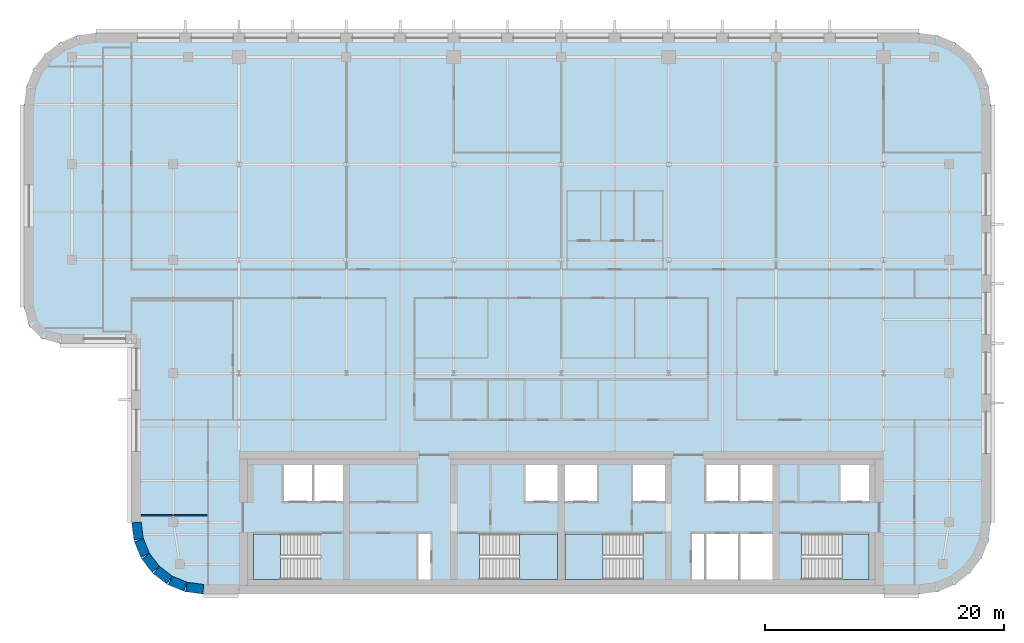
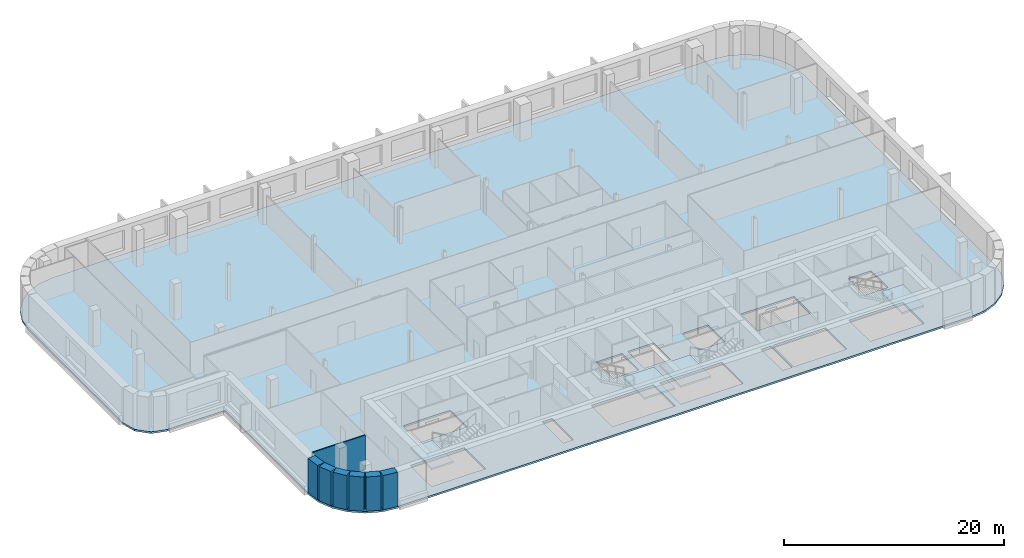
# One storey, part 6 of 16: 7 walls, 5 slabs, 4 elements without a shape of their own.
"""IFC4 building model written with IfcOpenShell, lengths in metres."""

from ifc_helpers import new_model, si_unit, direction, frame, frame_2d, origin, place, context, subcontext, project, spatial, polyline, rectangle, outline, extrude, material, layer, layer_set, type_object, element, aggregate, save


model = new_model("IFC4")

# Units and contexts
model_context = context("Model", 3, precision=1e-05, world=origin(), true_north=direction((0.0, 1.0)))
body_context = subcontext(model_context, "Body", "Model", "MODEL_VIEW")
ifc_project = project(units=[si_unit("LENGTHUNIT", "METRE"), si_unit("AREAUNIT", "SQUARE_METRE"), si_unit("VOLUMEUNIT", "CUBIC_METRE"), si_unit("PLANEANGLEUNIT", "RADIAN"), si_unit("MASSUNIT", "GRAM", prefix="KILO")], contexts=[model_context])

# Site, building, storey
site_placement = place(None, origin())
site = spatial("IfcSite", under=ifc_project, at=site_placement, CompositionType="ELEMENT")
building_placement = place(site_placement, origin())
building = spatial("IfcBuilding", under=site, at=building_placement, Name="Zellij Exchange Tower", CompositionType="ELEMENT")
storey_placement = place(building_placement, frame((0.0, 0.0, 248.5)))
storey = spatial("IfcBuildingStorey", under=building, at=storey_placement, Name="L58", CompositionType="ELEMENT", Elevation=248.5)

# Stair, slab
ifc_material_1 = material(Name="Concrete C40/50", Category="concrete")
stair_type = type_object("IfcStairType", Name="CORE-ST exit stair 1850 wide", PredefinedType="HALF_TURN_STAIR", material=ifc_material_1)
stair_1_placement = place(storey_placement, origin())
stair_1 = element("IfcStair", 1, at=stair_1_placement, inside=storey, type_object=stair_type, Name="L58 exit stair ST1", PredefinedType="HALF_TURN_STAIR")
ifc_layer_1 = layer(ifc_material_1, 0.199951171875)
ifc_layer_set_1 = layer_set([ifc_layer_1], Name="Concrete C40/50")
slab_type_1 = type_object("IfcSlabType", Name="CORE-SL stair landing 200", PredefinedType="LANDING", material=ifc_layer_set_1)
slab_1_placement = place(storey_placement, frame((0.0, 0.0, 1.800048828125)))
slab_1 = element("IfcSlab", 2, at=slab_1_placement, type_object=slab_type_1, Name="ST1 landing 1", PredefinedType="LANDING", context=body_context, shape_type="SweptSolid", body=[
    extrude(outline(polyline([(-23.510009765625, -8.949951171875), (-25.800048828125, -8.949951171875), (-25.800048828125, -12.800048828125), (-23.510009765625, -12.800048828125), (-23.510009765625, -8.949951171875)])), origin(), (0.0, 0.0, 1.0), 0.199951171875),
])
aggregate(stair_1, [slab_1])

stair_2_placement = place(storey_placement, origin())
stair_2 = element("IfcStair", 3, at=stair_2_placement, inside=storey, type_object=stair_type, Name="L58 exit stair ST2", PredefinedType="HALF_TURN_STAIR")
slab_2_placement = place(storey_placement, frame((0.0, 0.0, 1.800048828125)))
slab_2 = element("IfcSlab", 4, at=slab_2_placement, type_object=slab_type_1, Name="ST2 landing 1", PredefinedType="LANDING", context=body_context, shape_type="SweptSolid", body=[
    extrude(outline(polyline([(-3.489990234375, -12.800048828125), (-0.300048828125, -12.800048828125), (-0.300048828125, -8.949951171875), (-3.489990234375, -8.949951171875), (-3.489990234375, -12.800048828125)])), origin(), (0.0, 0.0, 1.0), 0.199951171875),
])
aggregate(stair_2, [slab_2])

stair_3_placement = place(storey_placement, origin())
stair_3 = element("IfcStair", 5, at=stair_3_placement, inside=storey, type_object=stair_type, Name="L58 exit stair ST3", PredefinedType="HALF_TURN_STAIR")
slab_3_placement = place(storey_placement, frame((0.0, 0.0, 1.800048828125)))
slab_3 = element("IfcSlab", 6, at=slab_3_placement, type_object=slab_type_1, Name="ST3 landing 1", PredefinedType="LANDING", context=body_context, shape_type="SweptSolid", body=[
    extrude(outline(polyline([(3.489990234375, -8.949951171875), (0.300048828125, -8.949951171875), (0.300048828125, -12.800048828125), (3.489990234375, -12.800048828125), (3.489990234375, -8.949951171875)])), origin(), (0.0, 0.0, 1.0), 0.199951171875),
])
aggregate(stair_3, [slab_3])

stair_4_placement = place(storey_placement, origin())
stair_4 = element("IfcStair", 7, at=stair_4_placement, inside=storey, type_object=stair_type, Name="L58 exit stair ST4", PredefinedType="HALF_TURN_STAIR")
slab_4_placement = place(storey_placement, frame((0.0, 0.0, 1.800048828125)))
slab_4 = element("IfcSlab", 8, at=slab_4_placement, type_object=slab_type_1, Name="ST4 landing 1", PredefinedType="LANDING", context=body_context, shape_type="SweptSolid", body=[
    extrude(outline(polyline([(23.510009765625, -12.800048828125), (25.800048828125, -12.800048828125), (25.800048828125, -8.949951171875), (23.510009765625, -8.949951171875), (23.510009765625, -12.800048828125)])), origin(), (0.0, 0.0, 1.0), 0.199951171875),
])
aggregate(stair_4, [slab_4])

# Slab
ifc_layer_2 = layer(ifc_material_1, 0.199951171875)
ifc_layer_set_2 = layer_set([ifc_layer_2], Name="Concrete C40/50")
slab_type_2 = type_object("IfcSlabType", Name="STR-FLOOR SLAB 200 C40/50", PredefinedType="FLOOR", material=ifc_layer_set_2)
slab_5_placement = place(storey_placement, frame((0.0, 0.0, -0.2001953125)))
element("IfcSlab", 9, at=slab_5_placement, inside=storey, type_object=slab_type_2, Name="Floor L58", PredefinedType="FLOOR", context=body_context, shape_type="SweptSolid", body=[
    extrude(outline(polyline([(31.552978515625, 32.795654296875), (33.0, 32.1962890625), (34.24267578125, 31.24267578125), (35.1962890625, 30.0), (35.795654296875, 28.552978515625), (36.0, 27.0), (36.0, -8.0), (35.795654296875, -9.552978515625), (35.1962890625, -11.0), (34.24267578125, -12.24267578125), (33.0, -13.1962890625), (31.552978515625, -13.795654296875), (30.0, -14.0), (-30.0, -14.0), (-31.552978515625, -13.795654296875), (-33.0, -13.1962890625), (-34.24267578125, -12.24267578125), (-35.1962890625, -11.0), (-35.795654296875, -9.552978515625), (-36.0, -8.0), (-36.0, 7.0), (-42.0, 7.0), (-43.5, 7.40185546875), (-44.59814453125, 8.5), (-45.0, 10.0), (-45.0, 27.0), (-44.795654296875, 28.552978515625), (-44.1962890625, 30.0), (-43.24267578125, 31.24267578125), (-42.0, 32.1962890625), (-40.552978515625, 32.795654296875), (-39.0, 33.0), (30.0, 33.0), (31.552978515625, 32.795654296875)]), holes=[polyline([(-25.800048828125, -8.949951171875), (-25.800048828125, -12.800048828125), (-20.153076171875, -12.800048828125), (-20.153076171875, -8.949951171875), (-25.800048828125, -8.949951171875)]), polyline([(-10.949951171875, -8.949951171875), (-12.0, -8.949951171875), (-12.0, -12.800048828125), (-10.949951171875, -12.800048828125), (-10.949951171875, -8.949951171875)]), polyline([(-0.300048828125, -8.949951171875), (-6.846923828125, -8.949951171875), (-6.846923828125, -12.800048828125), (-0.300048828125, -12.800048828125), (-0.300048828125, -8.949951171875)]), polyline([(0.300048828125, -8.949951171875), (0.300048828125, -12.800048828125), (6.846923828125, -12.800048828125), (6.846923828125, -8.949951171875), (0.300048828125, -8.949951171875)]), polyline([(-18.300048828125, -3.199951171875), (-23.25, -3.199951171875), (-23.25, -6.22509765625), (-18.300048828125, -6.22509765625), (-18.300048828125, -3.199951171875)]), polyline([(-0.300048828125, -3.199951171875), (-3.0, -3.199951171875), (-3.0, -6.22509765625), (-0.300048828125, -6.22509765625), (-0.300048828125, -3.199951171875)]), polyline([(0.300048828125, -3.199951171875), (0.300048828125, -6.22509765625), (3.0, -6.22509765625), (3.0, -3.199951171875), (0.300048828125, -3.199951171875)]), polyline([(12.0, -8.949951171875), (10.949951171875, -8.949951171875), (10.949951171875, -12.800048828125), (12.0, -12.800048828125), (12.0, -8.949951171875)]), polyline([(17.699951171875, -8.949951171875), (12.14990234375, -8.949951171875), (12.14990234375, -12.800048828125), (17.699951171875, -12.800048828125), (17.699951171875, -8.949951171875)]), polyline([(25.800048828125, -8.949951171875), (20.153076171875, -8.949951171875), (20.153076171875, -12.800048828125), (25.800048828125, -12.800048828125), (25.800048828125, -8.949951171875)]), polyline([(8.699951171875, -3.199951171875), (6.0, -3.199951171875), (6.0, -6.22509765625), (8.699951171875, -6.22509765625), (8.699951171875, -3.199951171875)]), polyline([(17.699951171875, -3.199951171875), (12.14990234375, -3.199951171875), (12.14990234375, -6.22509765625), (17.699951171875, -6.22509765625), (17.699951171875, -3.199951171875)]), polyline([(25.800048828125, -3.199951171875), (23.39990234375, -3.199951171875), (23.39990234375, -6.22509765625), (25.800048828125, -6.22509765625), (25.800048828125, -3.199951171875)])]), origin(), (0.0, 0.0, 1.0), 0.2001953125),
])

# Walls
ifc_material_2 = material(Name="Precast concrete C40/50", Category="concrete")
ifc_layer_3 = layer(ifc_material_2, 0.800048828125)
ifc_layer_set_3 = layer_set([ifc_layer_3], Name="Precast concrete C40/50")
wall_type_1 = type_object("IfcWallType", Name="ENV-EW1 Precast stone-piered wall 800", PredefinedType="SOLIDWALL", material=ifc_layer_set_3)
wall_1_placement = place(storey_placement, frame((-35.5966796875, -7.999755859375, 0.0), z_axis=(0.0, 0.0, 1.0), x_axis=(0.130517283865, -0.99144603414, 0.0)))
element("IfcWall", 10, at=wall_1_placement, inside=storey, type_object=wall_type_1, Name="fac.L58.27", PredefinedType="SOLIDWALL", context=body_context, shape_type="SweptSolid", body=[
    extrude(rectangle(XDim=1.408447265625, YDim=0.800048828125, at=frame_2d((0.7041015625, 0.0))), origin(), (0.0, 0.0, 1.0), 3.800048828125),
])
wall_2_placement = place(storey_placement, frame((-35.3857421875, -9.497314453125, 0.0), z_axis=(0.0, 0.0, 1.0), x_axis=(0.38276009378, -0.923847774587, 0.0)))
element("IfcWall", 11, at=wall_2_placement, inside=storey, type_object=wall_type_1, Name="fac.L58.28", PredefinedType="SOLIDWALL", context=body_context, shape_type="SweptSolid", body=[
    extrude(rectangle(XDim=1.35546875, YDim=0.800048828125, at=frame_2d((0.677734375, 0.0))), origin(), (0.0, 0.0, 1.0), 3.800048828125),
])
for number, where, z_axis, x_axis, name in (
    (12, (-34.814697265625, -10.840087890625, 0.0), (0.0, 0.0, 1.0), (0.608866226366, -0.793272915452, 0.0), "fac.L58.29"),
    (13, (-33.91552734375, -11.9892578125, 0.0), (0.0, 0.0, 1.0), (0.793272915452, -0.608866226366, 0.0), "fac.L58.30"),
):
    element("IfcWall", number, at=place(storey_placement, frame(where, z_axis=z_axis, x_axis=x_axis)), inside=storey, type_object=wall_type_1, Name=name, PredefinedType="SOLIDWALL", context=body_context, shape_type="SweptSolid", body=[
        extrude(rectangle(XDim=1.355712890625, YDim=0.800048828125, at=frame_2d((0.677734375, 0.0))), origin(), (0.0, 0.0, 1.0), 3.800048828125),
    ])
wall_3_placement = place(storey_placement, frame((-32.74951171875, -12.866943359375, 0.0), z_axis=(0.0, 0.0, 1.0), x_axis=(0.923847774587, -0.38276009378, 0.0)))
element("IfcWall", 14, at=wall_3_placement, inside=storey, type_object=wall_type_1, Name="fac.L58.31", PredefinedType="SOLIDWALL", context=body_context, shape_type="SweptSolid", body=[
    extrude(rectangle(XDim=1.35546875, YDim=0.800048828125, at=frame_2d((0.677734375, 0.0))), origin(), (0.0, 0.0, 1.0), 3.800048828125),
])
wall_4_placement = place(storey_placement, frame((-31.396240234375, -13.412841796875, 0.0), z_axis=(0.0, 0.0, 1.0), x_axis=(0.99144603414, -0.130517283865, 0.0)))
element("IfcWall", 15, at=wall_4_placement, inside=storey, type_object=wall_type_1, Name="fac.L58.32", PredefinedType="SOLIDWALL", context=body_context, shape_type="SweptSolid", body=[
    extrude(rectangle(XDim=1.408447265625, YDim=0.800048828125, at=frame_2d((0.7041015625, 0.0))), origin(), (0.0, 0.0, 1.0), 3.800048828125),
])
ifc_material_3 = material(Name="Gypsum board partition on steel studs", Category="steel")
ifc_layer_4 = layer(ifc_material_3, 0.10009765625)
ifc_layer_set_4 = layer_set([ifc_layer_4], Name="Gypsum board partition on steel studs")
wall_type_2 = type_object("IfcWallType", Name="FIT-PARTITION-100", PredefinedType="PARTITIONING", material=ifc_layer_set_4)
wall_5_placement = place(storey_placement, frame((-35.199951171875, -7.39990234375, 0.0), z_axis=(0.0, 0.0, 1.0), x_axis=(1.0, 0.0, 0.0)))
element("IfcWall", 16, at=wall_5_placement, inside=storey, type_object=wall_type_2, Name="FIT-PARTITION-100 003", PredefinedType="PARTITIONING", context=body_context, shape_type="SweptSolid", body=[
    extrude(rectangle(XDim=5.550048828125, YDim=0.10009765625, at=frame_2d((2.77490234375, 0.0))), origin(), (0.0, 0.0, 1.0), 3.800048828125),
])

save(model, "model.ifc")
